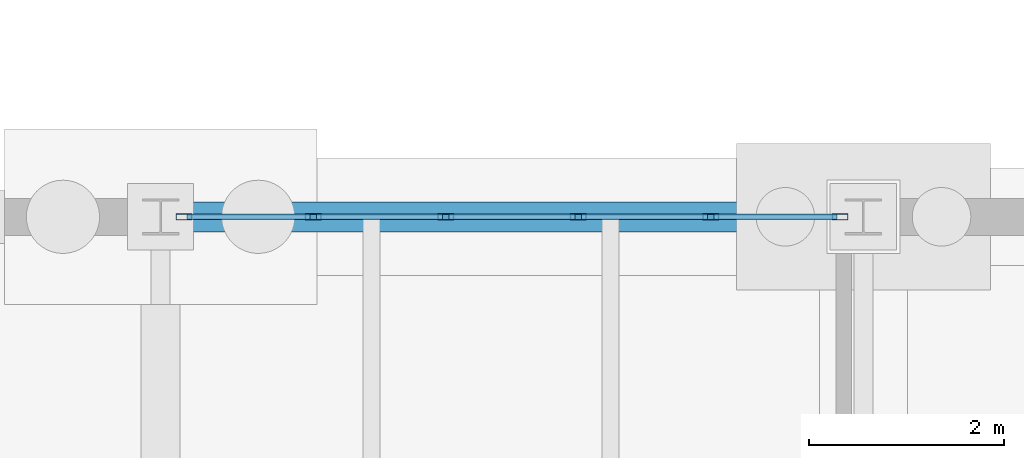
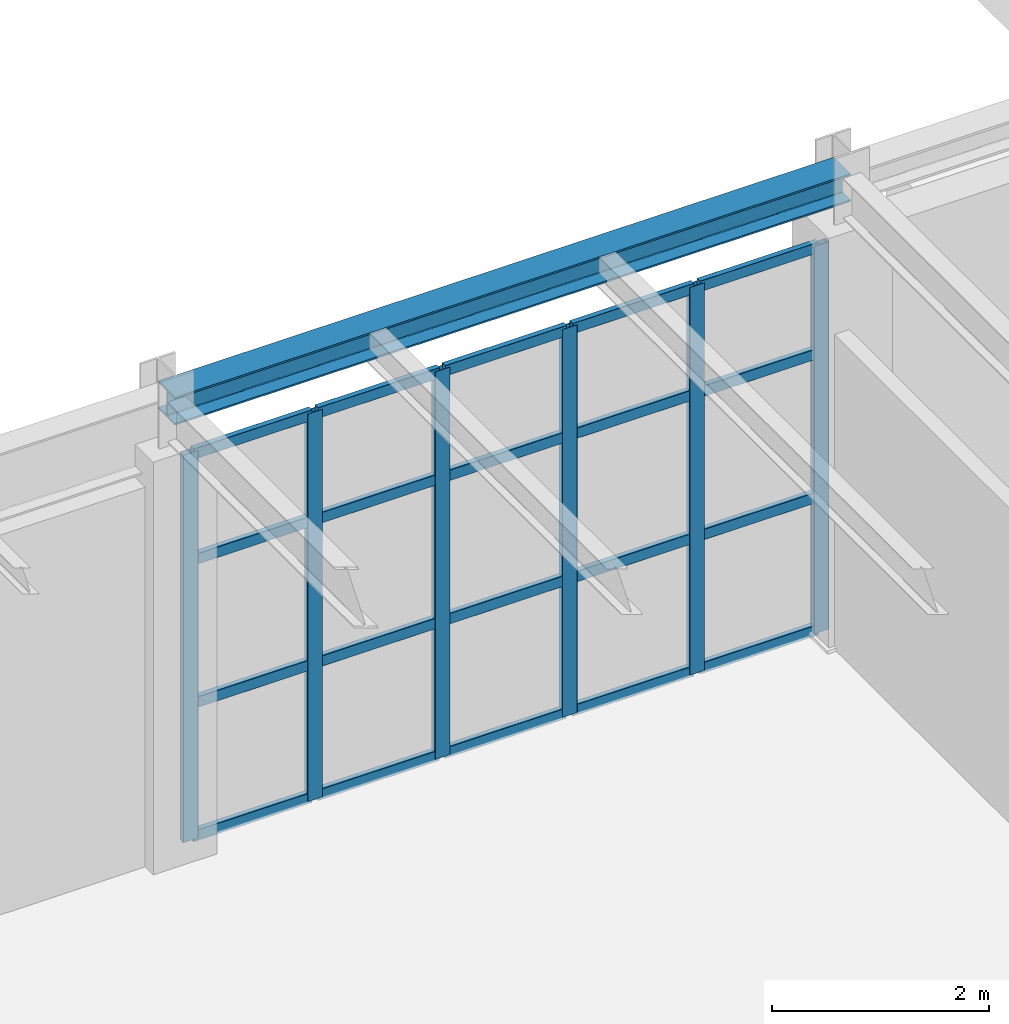
# One storey, part 99 of 293: 26 members, 1 beam, 1 element without a shape of its own.
"""IFC4 building model written with IfcOpenShell, lengths in metres."""

from ifc_helpers import new_model, si_unit, direction, frame, origin, origin_2d, place, context, subcontext, project, spatial, hollow_rectangle, i_section, extrude, material, layer, layer_set, material_profile, profile_set, type_object, element, aggregate, save


model = new_model("IFC4")

# Units and contexts
model_context = context("Model", 3, precision=1e-05, world=origin(), true_north=direction((0.0, 1.0)))
body_context = subcontext(model_context, "Body", "Model", "MODEL_VIEW")
ifc_project = project(units=[si_unit("LENGTHUNIT", "METRE"), si_unit("AREAUNIT", "SQUARE_METRE"), si_unit("VOLUMEUNIT", "CUBIC_METRE"), si_unit("PLANEANGLEUNIT", "RADIAN"), si_unit("MASSUNIT", "GRAM", prefix="KILO")], contexts=[model_context])

# Site, building, storey
site_placement = place(None, origin())
site = spatial("IfcSite", under=ifc_project, at=site_placement, CompositionType="ELEMENT")
building_placement = place(site_placement, origin())
building = spatial("IfcBuilding", under=site, at=building_placement, Name="Kemerveld Promenade Tramway Depot", CompositionType="ELEMENT")
storey_placement = place(building_placement, origin())
storey = spatial("IfcBuildingStorey", under=building, at=storey_placement, Name="L00", CompositionType="ELEMENT", Elevation=0.0)

# Beam
ifc_material_1 = material(Name="Steel S355", Category="steel")
ifc_material_profile_1 = material_profile(ifc_material_1, i_section(OverallWidth=0.307373046875, OverallDepth=0.314453125, WebThickness=0.011962890625, FlangeThickness=0.018798828125, FilletRadius=0.01513671875, at=origin_2d()), Name="305x305x118 UC")
ifc_profile_set_1 = profile_set([ifc_material_profile_1], Name="Steel S355")
beam_type = type_object("IfcBeamType", Name="BM-G12", PredefinedType="BEAM", material=ifc_profile_set_1)
beam_placement = place(storey_placement, frame((21.60009765625, 79.199951171875, 4.992919921875), z_axis=(1.0, 0.0, 0.0), x_axis=(0.0, 1.0, 0.0)))
element("IfcBeam", 1, at=beam_placement, inside=storey, type_object=beam_type, Name="BMX-L00-04-05-M", PredefinedType="BEAM", context=body_context, shape_type="SweptSolid", body=[
    extrude(i_section(OverallWidth=0.307373046875, OverallDepth=0.314453125, WebThickness=0.011962890625, FlangeThickness=0.018798828125, FilletRadius=0.01513671875, at=origin_2d()), origin(), (0.0, 0.0, 1.0), 7.199951171875),
])

# Curtain wall, members
ifc_material_2 = material(Name="Bronze anodised aluminium and solar glass", Category="aluminium")
ifc_layer = layer(ifc_material_2, 0.159912109375)
ifc_layer_set = layer_set([ifc_layer], Name="CW-SYS-07")
curtain_wall_type = type_object("IfcCurtainWallType", Name="CW-SYS-07", PredefinedType="USERDEFINED", material=ifc_layer_set)
curtain_wall_placement = place(storey_placement, origin())
curtain_wall = element("IfcCurtainWall", 2, at=curtain_wall_placement, inside=storey, type_object=curtain_wall_type, Name="CW-L00-V5N-04", ObjectType="GLAZED_CURTAIN_WALL", PredefinedType="USERDEFINED")
ifc_material_3 = material(Name="Bronze anodised aluminium", Category="aluminium")
ifc_material_profile_2 = material_profile(ifc_material_3, hollow_rectangle(XDim=0.06494140625, YDim=0.159912109375, WallThickness=0.00390625, InnerFilletRadius=0.001953125, OuterFilletRadius=0.00390625, at=origin_2d()), Name="CW-MUL-160x65")
ifc_profile_set_2 = profile_set([ifc_material_profile_2], Name="Bronze anodised aluminium")
member_type_1 = type_object("IfcMemberType", Name="CW-MUL-A", PredefinedType="MULLION", material=ifc_profile_set_2)
member_1_placement = place(storey_placement, frame((21.8388671875, 79.199951171875, 0.0), z_axis=(0.0, 0.0, 1.0), x_axis=(0.0, 1.0, 0.0)))
member_1 = element("IfcMember", 3, at=member_1_placement, type_object=member_type_1, Name="CW07 mullion 1", PredefinedType="MULLION", context=body_context, shape_type="SweptSolid", body=[
    extrude(hollow_rectangle(XDim=0.06494140625, YDim=0.159912109375, WallThickness=0.00390625, InnerFilletRadius=0.001953125, OuterFilletRadius=0.00390625, at=origin_2d()), origin(), (0.0, 0.0, 1.0), 4.367919921875),
])
member_2_placement = place(storey_placement, frame((23.163818359375, 79.199951171875, 0.0), z_axis=(0.0, 0.0, 1.0), x_axis=(0.0, 1.0, 0.0)))
member_2 = element("IfcMember", 4, at=member_2_placement, type_object=member_type_1, Name="CW07 mullion 2", PredefinedType="MULLION", context=body_context, shape_type="SweptSolid", body=[
    extrude(hollow_rectangle(XDim=0.06494140625, YDim=0.159912109375, WallThickness=0.00390625, InnerFilletRadius=0.001953125, OuterFilletRadius=0.00390625, at=origin_2d()), origin(), (0.0, 0.0, 1.0), 4.367919921875),
])
member_3_placement = place(storey_placement, frame((24.521240234375, 79.199951171875, 0.0), z_axis=(0.0, 0.0, 1.0), x_axis=(0.0, 1.0, 0.0)))
member_3 = element("IfcMember", 5, at=member_3_placement, type_object=member_type_1, Name="CW07 mullion 3", PredefinedType="MULLION", context=body_context, shape_type="SweptSolid", body=[
    extrude(hollow_rectangle(XDim=0.06494140625, YDim=0.159912109375, WallThickness=0.00390625, InnerFilletRadius=0.001953125, OuterFilletRadius=0.00390625, at=origin_2d()), origin(), (0.0, 0.0, 1.0), 4.367919921875),
])
member_4_placement = place(storey_placement, frame((25.878662109375, 79.199951171875, 0.0), z_axis=(0.0, 0.0, 1.0), x_axis=(0.0, 1.0, 0.0)))
member_4 = element("IfcMember", 6, at=member_4_placement, type_object=member_type_1, Name="CW07 mullion 4", PredefinedType="MULLION", context=body_context, shape_type="SweptSolid", body=[
    extrude(hollow_rectangle(XDim=0.06494140625, YDim=0.159912109375, WallThickness=0.00390625, InnerFilletRadius=0.001953125, OuterFilletRadius=0.00390625, at=origin_2d()), origin(), (0.0, 0.0, 1.0), 4.367919921875),
])
member_5_placement = place(storey_placement, frame((27.236328125, 79.199951171875, 0.0), z_axis=(0.0, 0.0, 1.0), x_axis=(0.0, 1.0, 0.0)))
member_5 = element("IfcMember", 7, at=member_5_placement, type_object=member_type_1, Name="CW07 mullion 5", PredefinedType="MULLION", context=body_context, shape_type="SweptSolid", body=[
    extrude(hollow_rectangle(XDim=0.06494140625, YDim=0.159912109375, WallThickness=0.00390625, InnerFilletRadius=0.001953125, OuterFilletRadius=0.00390625, at=origin_2d()), origin(), (0.0, 0.0, 1.0), 4.367919921875),
])
member_6_placement = place(storey_placement, frame((28.561279296875, 79.199951171875, 0.0), z_axis=(0.0, 0.0, 1.0), x_axis=(0.0, 1.0, 0.0)))
member_6 = element("IfcMember", 8, at=member_6_placement, type_object=member_type_1, Name="CW07 mullion 6", PredefinedType="MULLION", context=body_context, shape_type="SweptSolid", body=[
    extrude(hollow_rectangle(XDim=0.06494140625, YDim=0.159912109375, WallThickness=0.00390625, InnerFilletRadius=0.001953125, OuterFilletRadius=0.00390625, at=origin_2d()), origin(), (0.0, 0.0, 1.0), 4.367919921875),
])
ifc_material_profile_3 = material_profile(ifc_material_3, hollow_rectangle(XDim=0.06005859375, YDim=0.1201171875, WallThickness=0.00390625, InnerFilletRadius=0.001953125, OuterFilletRadius=0.00390625, at=origin_2d()), Name="CW-TRN-120x60")
ifc_profile_set_3 = profile_set([ifc_material_profile_3], Name="Bronze anodised aluminium")
member_type_2 = type_object("IfcMemberType", Name="CW-TRN-A", PredefinedType="USERDEFINED", material=ifc_profile_set_3)
member_7_placement = place(storey_placement, frame((21.871337890625, 79.199951171875, 0.030029296875), z_axis=(1.0, 0.0, 0.0), x_axis=(0.0, 1.0, 0.0)))
member_7 = element("IfcMember", 9, at=member_7_placement, type_object=member_type_2, Name="CW07 transom 1.1", ObjectType="TRANSOM", PredefinedType="USERDEFINED", context=body_context, shape_type="SweptSolid", body=[
    extrude(hollow_rectangle(XDim=0.06005859375, YDim=0.1201171875, WallThickness=0.00390625, InnerFilletRadius=0.001953125, OuterFilletRadius=0.00390625, at=origin_2d()), origin(), (0.0, 0.0, 1.0), 1.260009765625),
])
member_8_placement = place(storey_placement, frame((21.871337890625, 79.199951171875, 1.529052734375), z_axis=(1.0, 0.0, 0.0), x_axis=(0.0, 1.0, 0.0)))
member_8 = element("IfcMember", 10, at=member_8_placement, type_object=member_type_2, Name="CW07 transom 1.2", ObjectType="TRANSOM", PredefinedType="USERDEFINED", context=body_context, shape_type="SweptSolid", body=[
    extrude(hollow_rectangle(XDim=0.06005859375, YDim=0.1201171875, WallThickness=0.00390625, InnerFilletRadius=0.001953125, OuterFilletRadius=0.00390625, at=origin_2d()), origin(), (0.0, 0.0, 1.0), 1.260009765625),
])
member_9_placement = place(storey_placement, frame((21.871337890625, 79.199951171875, 3.14501953125), z_axis=(1.0, 0.0, 0.0), x_axis=(0.0, 1.0, 0.0)))
member_9 = element("IfcMember", 11, at=member_9_placement, type_object=member_type_2, Name="CW07 transom 1.3", ObjectType="TRANSOM", PredefinedType="USERDEFINED", context=body_context, shape_type="SweptSolid", body=[
    extrude(hollow_rectangle(XDim=0.06005859375, YDim=0.1201171875, WallThickness=0.00390625, InnerFilletRadius=0.001953125, OuterFilletRadius=0.00390625, at=origin_2d()), origin(), (0.0, 0.0, 1.0), 1.260009765625),
])
member_10_placement = place(storey_placement, frame((21.871337890625, 79.199951171875, 4.337890625), z_axis=(1.0, 0.0, 0.0), x_axis=(0.0, 1.0, 0.0)))
member_10 = element("IfcMember", 12, at=member_10_placement, type_object=member_type_2, Name="CW07 transom 1.4", ObjectType="TRANSOM", PredefinedType="USERDEFINED", context=body_context, shape_type="SweptSolid", body=[
    extrude(hollow_rectangle(XDim=0.06005859375, YDim=0.1201171875, WallThickness=0.00390625, InnerFilletRadius=0.001953125, OuterFilletRadius=0.00390625, at=origin_2d()), origin(), (0.0, 0.0, 1.0), 1.260009765625),
])
member_11_placement = place(storey_placement, frame((23.1962890625, 79.199951171875, 0.030029296875), z_axis=(1.0, 0.0, 0.0), x_axis=(0.0, 1.0, 0.0)))
member_11 = element("IfcMember", 13, at=member_11_placement, type_object=member_type_2, Name="CW07 transom 2.1", ObjectType="TRANSOM", PredefinedType="USERDEFINED", context=body_context, shape_type="SweptSolid", body=[
    extrude(hollow_rectangle(XDim=0.06005859375, YDim=0.1201171875, WallThickness=0.00390625, InnerFilletRadius=0.001953125, OuterFilletRadius=0.00390625, at=origin_2d()), origin(), (0.0, 0.0, 1.0), 1.29248046875),
])
member_12_placement = place(storey_placement, frame((23.1962890625, 79.199951171875, 1.529052734375), z_axis=(1.0, 0.0, 0.0), x_axis=(0.0, 1.0, 0.0)))
member_12 = element("IfcMember", 14, at=member_12_placement, type_object=member_type_2, Name="CW07 transom 2.2", ObjectType="TRANSOM", PredefinedType="USERDEFINED", context=body_context, shape_type="SweptSolid", body=[
    extrude(hollow_rectangle(XDim=0.06005859375, YDim=0.1201171875, WallThickness=0.00390625, InnerFilletRadius=0.001953125, OuterFilletRadius=0.00390625, at=origin_2d()), origin(), (0.0, 0.0, 1.0), 1.29248046875),
])
member_13_placement = place(storey_placement, frame((23.1962890625, 79.199951171875, 3.14501953125), z_axis=(1.0, 0.0, 0.0), x_axis=(0.0, 1.0, 0.0)))
member_13 = element("IfcMember", 15, at=member_13_placement, type_object=member_type_2, Name="CW07 transom 2.3", ObjectType="TRANSOM", PredefinedType="USERDEFINED", context=body_context, shape_type="SweptSolid", body=[
    extrude(hollow_rectangle(XDim=0.06005859375, YDim=0.1201171875, WallThickness=0.00390625, InnerFilletRadius=0.001953125, OuterFilletRadius=0.00390625, at=origin_2d()), origin(), (0.0, 0.0, 1.0), 1.29248046875),
])
member_14_placement = place(storey_placement, frame((23.1962890625, 79.199951171875, 4.337890625), z_axis=(1.0, 0.0, 0.0), x_axis=(0.0, 1.0, 0.0)))
member_14 = element("IfcMember", 16, at=member_14_placement, type_object=member_type_2, Name="CW07 transom 2.4", ObjectType="TRANSOM", PredefinedType="USERDEFINED", context=body_context, shape_type="SweptSolid", body=[
    extrude(hollow_rectangle(XDim=0.06005859375, YDim=0.1201171875, WallThickness=0.00390625, InnerFilletRadius=0.001953125, OuterFilletRadius=0.00390625, at=origin_2d()), origin(), (0.0, 0.0, 1.0), 1.29248046875),
])
member_15_placement = place(storey_placement, frame((24.5537109375, 79.199951171875, 0.030029296875), z_axis=(1.0, 0.0, 0.0), x_axis=(0.0, 1.0, 0.0)))
member_15 = element("IfcMember", 17, at=member_15_placement, type_object=member_type_2, Name="CW07 transom 3.1", ObjectType="TRANSOM", PredefinedType="USERDEFINED", context=body_context, shape_type="SweptSolid", body=[
    extrude(hollow_rectangle(XDim=0.06005859375, YDim=0.1201171875, WallThickness=0.00390625, InnerFilletRadius=0.001953125, OuterFilletRadius=0.00390625, at=origin_2d()), origin(), (0.0, 0.0, 1.0), 1.29248046875),
])
member_16_placement = place(storey_placement, frame((24.5537109375, 79.199951171875, 1.529052734375), z_axis=(1.0, 0.0, 0.0), x_axis=(0.0, 1.0, 0.0)))
member_16 = element("IfcMember", 18, at=member_16_placement, type_object=member_type_2, Name="CW07 transom 3.2", ObjectType="TRANSOM", PredefinedType="USERDEFINED", context=body_context, shape_type="SweptSolid", body=[
    extrude(hollow_rectangle(XDim=0.06005859375, YDim=0.1201171875, WallThickness=0.00390625, InnerFilletRadius=0.001953125, OuterFilletRadius=0.00390625, at=origin_2d()), origin(), (0.0, 0.0, 1.0), 1.29248046875),
])
member_17_placement = place(storey_placement, frame((24.5537109375, 79.199951171875, 3.14501953125), z_axis=(1.0, 0.0, 0.0), x_axis=(0.0, 1.0, 0.0)))
member_17 = element("IfcMember", 19, at=member_17_placement, type_object=member_type_2, Name="CW07 transom 3.3", ObjectType="TRANSOM", PredefinedType="USERDEFINED", context=body_context, shape_type="SweptSolid", body=[
    extrude(hollow_rectangle(XDim=0.06005859375, YDim=0.1201171875, WallThickness=0.00390625, InnerFilletRadius=0.001953125, OuterFilletRadius=0.00390625, at=origin_2d()), origin(), (0.0, 0.0, 1.0), 1.29248046875),
])
member_18_placement = place(storey_placement, frame((24.5537109375, 79.199951171875, 4.337890625), z_axis=(1.0, 0.0, 0.0), x_axis=(0.0, 1.0, 0.0)))
member_18 = element("IfcMember", 20, at=member_18_placement, type_object=member_type_2, Name="CW07 transom 3.4", ObjectType="TRANSOM", PredefinedType="USERDEFINED", context=body_context, shape_type="SweptSolid", body=[
    extrude(hollow_rectangle(XDim=0.06005859375, YDim=0.1201171875, WallThickness=0.00390625, InnerFilletRadius=0.001953125, OuterFilletRadius=0.00390625, at=origin_2d()), origin(), (0.0, 0.0, 1.0), 1.29248046875),
])
member_19_placement = place(storey_placement, frame((25.9111328125, 79.199951171875, 0.030029296875), z_axis=(1.0, 0.0, 0.0), x_axis=(0.0, 1.0, 0.0)))
member_19 = element("IfcMember", 21, at=member_19_placement, type_object=member_type_2, Name="CW07 transom 4.1", ObjectType="TRANSOM", PredefinedType="USERDEFINED", context=body_context, shape_type="SweptSolid", body=[
    extrude(hollow_rectangle(XDim=0.06005859375, YDim=0.1201171875, WallThickness=0.00390625, InnerFilletRadius=0.001953125, OuterFilletRadius=0.00390625, at=origin_2d()), origin(), (0.0, 0.0, 1.0), 1.29248046875),
])
member_20_placement = place(storey_placement, frame((25.9111328125, 79.199951171875, 1.529052734375), z_axis=(1.0, 0.0, 0.0), x_axis=(0.0, 1.0, 0.0)))
member_20 = element("IfcMember", 22, at=member_20_placement, type_object=member_type_2, Name="CW07 transom 4.2", ObjectType="TRANSOM", PredefinedType="USERDEFINED", context=body_context, shape_type="SweptSolid", body=[
    extrude(hollow_rectangle(XDim=0.06005859375, YDim=0.1201171875, WallThickness=0.00390625, InnerFilletRadius=0.001953125, OuterFilletRadius=0.00390625, at=origin_2d()), origin(), (0.0, 0.0, 1.0), 1.29248046875),
])
member_21_placement = place(storey_placement, frame((25.9111328125, 79.199951171875, 3.14501953125), z_axis=(1.0, 0.0, 0.0), x_axis=(0.0, 1.0, 0.0)))
member_21 = element("IfcMember", 23, at=member_21_placement, type_object=member_type_2, Name="CW07 transom 4.3", ObjectType="TRANSOM", PredefinedType="USERDEFINED", context=body_context, shape_type="SweptSolid", body=[
    extrude(hollow_rectangle(XDim=0.06005859375, YDim=0.1201171875, WallThickness=0.00390625, InnerFilletRadius=0.001953125, OuterFilletRadius=0.00390625, at=origin_2d()), origin(), (0.0, 0.0, 1.0), 1.29248046875),
])
member_22_placement = place(storey_placement, frame((25.9111328125, 79.199951171875, 4.337890625), z_axis=(1.0, 0.0, 0.0), x_axis=(0.0, 1.0, 0.0)))
member_22 = element("IfcMember", 24, at=member_22_placement, type_object=member_type_2, Name="CW07 transom 4.4", ObjectType="TRANSOM", PredefinedType="USERDEFINED", context=body_context, shape_type="SweptSolid", body=[
    extrude(hollow_rectangle(XDim=0.06005859375, YDim=0.1201171875, WallThickness=0.00390625, InnerFilletRadius=0.001953125, OuterFilletRadius=0.00390625, at=origin_2d()), origin(), (0.0, 0.0, 1.0), 1.29248046875),
])
member_23_placement = place(storey_placement, frame((27.268798828125, 79.199951171875, 0.030029296875), z_axis=(1.0, 0.0, 0.0), x_axis=(0.0, 1.0, 0.0)))
member_23 = element("IfcMember", 25, at=member_23_placement, type_object=member_type_2, Name="CW07 transom 5.1", ObjectType="TRANSOM", PredefinedType="USERDEFINED", context=body_context, shape_type="SweptSolid", body=[
    extrude(hollow_rectangle(XDim=0.06005859375, YDim=0.1201171875, WallThickness=0.00390625, InnerFilletRadius=0.001953125, OuterFilletRadius=0.00390625, at=origin_2d()), origin(), (0.0, 0.0, 1.0), 1.260009765625),
])
member_24_placement = place(storey_placement, frame((27.268798828125, 79.199951171875, 1.529052734375), z_axis=(1.0, 0.0, 0.0), x_axis=(0.0, 1.0, 0.0)))
member_24 = element("IfcMember", 26, at=member_24_placement, type_object=member_type_2, Name="CW07 transom 5.2", ObjectType="TRANSOM", PredefinedType="USERDEFINED", context=body_context, shape_type="SweptSolid", body=[
    extrude(hollow_rectangle(XDim=0.06005859375, YDim=0.1201171875, WallThickness=0.00390625, InnerFilletRadius=0.001953125, OuterFilletRadius=0.00390625, at=origin_2d()), origin(), (0.0, 0.0, 1.0), 1.260009765625),
])
member_25_placement = place(storey_placement, frame((27.268798828125, 79.199951171875, 3.14501953125), z_axis=(1.0, 0.0, 0.0), x_axis=(0.0, 1.0, 0.0)))
member_25 = element("IfcMember", 27, at=member_25_placement, type_object=member_type_2, Name="CW07 transom 5.3", ObjectType="TRANSOM", PredefinedType="USERDEFINED", context=body_context, shape_type="SweptSolid", body=[
    extrude(hollow_rectangle(XDim=0.06005859375, YDim=0.1201171875, WallThickness=0.00390625, InnerFilletRadius=0.001953125, OuterFilletRadius=0.00390625, at=origin_2d()), origin(), (0.0, 0.0, 1.0), 1.260009765625),
])
member_26_placement = place(storey_placement, frame((27.268798828125, 79.199951171875, 4.337890625), z_axis=(1.0, 0.0, 0.0), x_axis=(0.0, 1.0, 0.0)))
member_26 = element("IfcMember", 28, at=member_26_placement, type_object=member_type_2, Name="CW07 transom 5.4", ObjectType="TRANSOM", PredefinedType="USERDEFINED", context=body_context, shape_type="SweptSolid", body=[
    extrude(hollow_rectangle(XDim=0.06005859375, YDim=0.1201171875, WallThickness=0.00390625, InnerFilletRadius=0.001953125, OuterFilletRadius=0.00390625, at=origin_2d()), origin(), (0.0, 0.0, 1.0), 1.260009765625),
])
aggregate(curtain_wall, [member_1, member_2, member_3, member_4, member_5, member_6, member_7, member_8, member_9, member_10, member_11, member_12, member_13, member_14, member_15, member_16, member_17, member_18, member_19, member_20, member_21, member_22, member_23, member_24, member_25, member_26])

save(model, "model.ifc")
